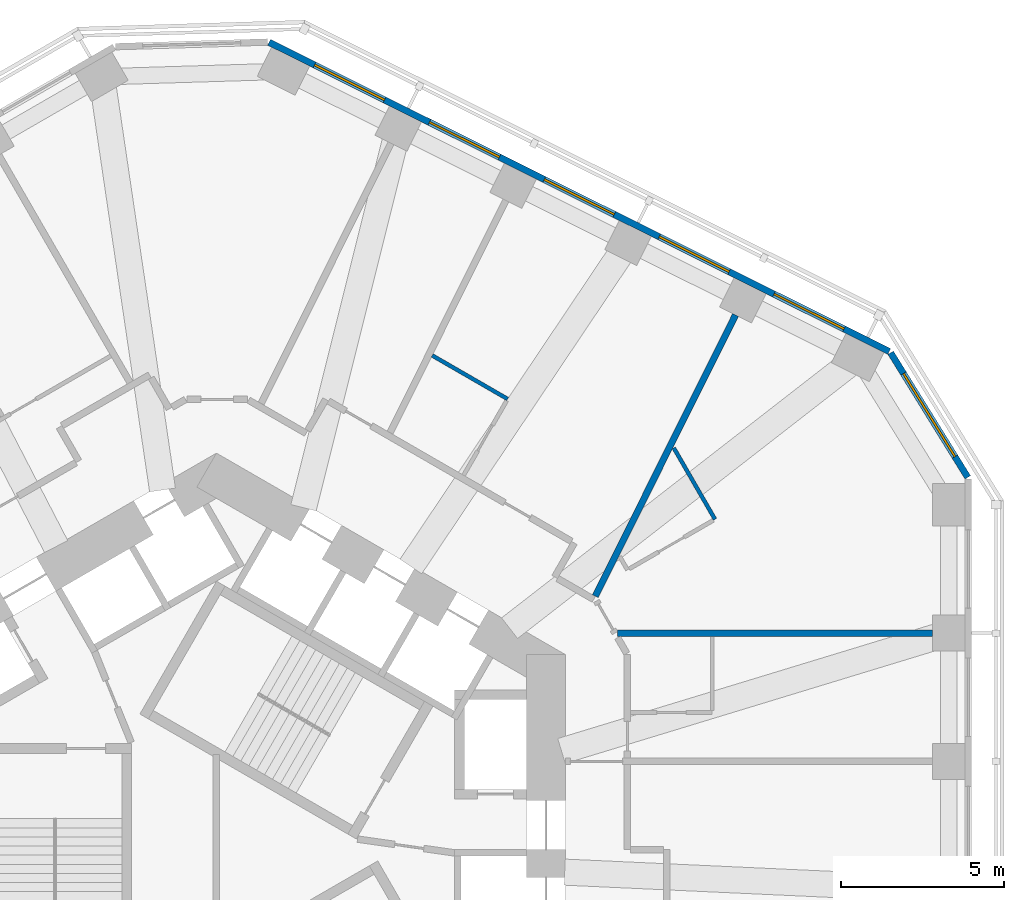
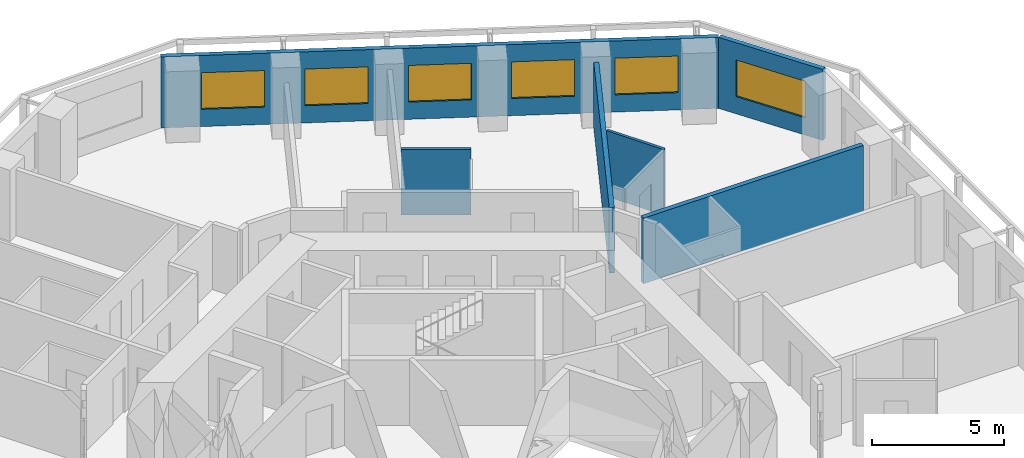
# One storey, part 9 of 12: 6 walls, 6 windows, 6 openings.
"""IFC4 building model written with IfcOpenShell, lengths in metres."""

from ifc_helpers import new_model, si_unit, direction, frame, frame_2d, origin, place, context, subcontext, project, spatial, rectangle, extrude, material, layer, layer_set, type_object, element, fill, save


model = new_model("IFC4")

# Units and contexts
model_context = context("Model", 3, precision=1e-05, world=origin(), true_north=direction((0.0, 1.0)))
body_context = subcontext(model_context, "Body", "Model", "MODEL_VIEW")
ifc_project = project(units=[si_unit("LENGTHUNIT", "METRE"), si_unit("AREAUNIT", "SQUARE_METRE"), si_unit("VOLUMEUNIT", "CUBIC_METRE"), si_unit("PLANEANGLEUNIT", "RADIAN"), si_unit("MASSUNIT", "GRAM", prefix="KILO")], contexts=[model_context])

# Site, building, storey
site_placement = place(None, origin())
site = spatial("IfcSite", under=ifc_project, at=site_placement, CompositionType="ELEMENT")
building_placement = place(site_placement, origin())
building = spatial("IfcBuilding", under=site, at=building_placement, Name="Vanh Sen Convention Tower", CompositionType="ELEMENT")
storey_placement = place(building_placement, frame((0.0, 0.0, 113.300048828125)))
storey = spatial("IfcBuildingStorey", under=building, at=storey_placement, Name="L27", CompositionType="ELEMENT", Elevation=113.300048828125)

# Walls
ifc_material_1 = material(Name="Moisture-resistant gypsum board on steel studs", Category="steel")
ifc_layer_1 = layer(ifc_material_1, 0.1201171875)
ifc_layer_set_1 = layer_set([ifc_layer_1], Name="Moisture-resistant gypsum board on steel studs")
wall_type_1 = type_object("IfcWallType", Name="Bathroom partition 120", PredefinedType="PARTITIONING", material=ifc_layer_set_1)
wall_1_placement = place(storey_placement, frame((6.614013671875, 15.3505859375, 0.0), z_axis=(0.0, 0.0, 1.0), x_axis=(0.866024262117, -0.500001977421, 0.0)))
element("IfcWall", 1, at=wall_1_placement, inside=storey, type_object=wall_type_1, Name="Bathroom partition 120", PredefinedType="PARTITIONING", context=body_context, shape_type="SweptSolid", body=[
    extrude(rectangle(XDim=2.67138671875, YDim=0.1201171875, at=frame_2d((1.335693359375, 0.0))), origin(), (0.0, 0.0, 1.0), 3.050048828125),
])
wall_2_placement = place(storey_placement, frame((14.021728515625, 12.51513671875, 0.0), z_axis=(0.0, 0.0, 1.0), x_axis=(0.499962146402, -0.866047257466, 0.0)))
element("IfcWall", 2, at=wall_2_placement, inside=storey, type_object=wall_type_1, Name="Bathroom partition 120", PredefinedType="PARTITIONING", context=body_context, shape_type="SweptSolid", body=[
    extrude(rectangle(XDim=2.527587890625, YDim=0.1201171875, at=frame_2d((1.263671875, 0.0))), origin(), (0.0, 0.0, 1.0), 3.050048828125),
])

# Wall, opening, window
ifc_material_2 = material(Name="Insulated lightweight infill wall")
ifc_layer_2 = layer(ifc_material_2, 0.199951171875)
ifc_layer_set_2 = layer_set([ifc_layer_2], Name="Insulated lightweight infill wall")
wall_type_2 = type_object("IfcWallType", Name="External wall 200", PredefinedType="STANDARD", material=ifc_layer_set_2)
wall_3_placement = place(storey_placement, frame((23.034912109375, 11.612060546875, 0.0), z_axis=(0.0, 0.0, 1.0), x_axis=(-0.526160091227, 0.850385535155, 0.0)))
wall_3 = element("IfcWall", 3, at=wall_3_placement, inside=storey, type_object=wall_type_2, Name="External wall CH1 L27", PredefinedType="STANDARD", context=body_context, shape_type="SweptSolid", body=[
    extrude(rectangle(XDim=4.493896484375, YDim=0.199951171875, at=frame_2d((2.2470703125, 0.0))), origin(), (0.0, 0.0, 1.0), 3.300048828125),
])
opening_1_placement = place(wall_3_placement, frame((0.746826171875, 0.0, 0.800048828125)))
opening_1 = element("IfcOpeningElement", 4, at=opening_1_placement, cuts=wall_3, Name="Opening WH2-CH11", PredefinedType="OPENING", context=body_context, shape_type="SweptSolid", body=[
    extrude(rectangle(XDim=3.0, YDim=1.699951171875, at=frame_2d((1.5, 0.85009765625))), frame((0.0, 0.10986328125, 0.0), z_axis=(0.0, -1.0, 0.0), x_axis=(1.0, 0.0, 0.0)), (0.0, 0.0, 1.0), 0.219970703125),
])
ifc_material_3 = material(Name="Aluminium frame with clear low-emissivity glass", Category="aluminium")
window_type_1 = type_object("IfcWindowType", Name="Hotel window 3000 x 1700", PartitioningType="SINGLE_PANEL", PredefinedType="WINDOW", material=ifc_material_3)
window_1_placement = place(opening_1_placement, origin())
window_1 = element("IfcWindow", 5, at=window_1_placement, inside=storey, type_object=window_type_1, Name="Window WH2-CH11", OverallHeight=1.699951171875, OverallWidth=3.0, PartitioningType="SINGLE_PANEL", PredefinedType="WINDOW", context=body_context, shape_type="SweptSolid", body=[
    extrude(rectangle(XDim=3.0, YDim=1.699951171875, at=frame_2d((1.5, 0.85009765625))), frame((0.0, 0.030029296875, 0.0), z_axis=(0.0, -1.0, 0.0), x_axis=(1.0, 0.0, 0.0)), (0.0, 0.0, 1.0), 0.06005859375),
])
fill(opening_1, window_1)

# Wall, openings, windows
wall_4_placement = place(storey_placement, frame((20.6298828125, 15.470458984375, 0.0), z_axis=(0.0, 0.0, 1.0), x_axis=(-0.894934518609, 0.446197498203, 0.0)))
wall_4 = element("IfcWall", 6, at=wall_4_placement, inside=storey, type_object=wall_type_2, Name="External wall NE L27", PredefinedType="STANDARD", context=body_context, shape_type="SweptSolid", body=[
    extrude(rectangle(XDim=21.24609375, YDim=0.199951171875, at=frame_2d((10.623046875, 0.0))), origin(), (0.0, 0.0, 1.0), 3.300048828125),
])
opening_2_placement = place(wall_4_placement, frame((1.552978515625, 0.0, 0.800048828125)))
opening_2 = element("IfcOpeningElement", 7, at=opening_2_placement, cuts=wall_4, Name="Opening WH1-NE1", PredefinedType="OPENING", context=body_context, shape_type="SweptSolid", body=[
    extrude(rectangle(XDim=2.39990234375, YDim=1.699951171875, at=frame_2d((1.199951171875, 0.85009765625))), frame((0.0, 0.10986328125, 0.0), z_axis=(0.0, -1.0, 0.0), x_axis=(1.0, 0.0, 0.0)), (0.0, 0.0, 1.0), 0.219970703125),
])
opening_3_placement = place(wall_4_placement, frame((5.48779296875, 0.0, 0.800048828125)))
opening_3 = element("IfcOpeningElement", 8, at=opening_3_placement, cuts=wall_4, Name="Opening WH1-NE2", PredefinedType="OPENING", context=body_context, shape_type="SweptSolid", body=[
    extrude(rectangle(XDim=2.39990234375, YDim=1.699951171875, at=frame_2d((1.199951171875, 0.85009765625))), frame((0.0, 0.10986328125, 0.0), z_axis=(0.0, -1.0, 0.0), x_axis=(1.0, 0.0, 0.0)), (0.0, 0.0, 1.0), 0.219970703125),
])
opening_4_placement = place(wall_4_placement, frame((9.42236328125, 0.0, 0.800048828125)))
opening_4 = element("IfcOpeningElement", 9, at=opening_4_placement, cuts=wall_4, Name="Opening WH1-NE3", PredefinedType="OPENING", context=body_context, shape_type="SweptSolid", body=[
    extrude(rectangle(XDim=2.39990234375, YDim=1.699951171875, at=frame_2d((1.199951171875, 0.85009765625))), frame((0.0, 0.10986328125, 0.0), z_axis=(0.0, -1.0, 0.0), x_axis=(1.0, 0.0, 0.0)), (0.0, 0.0, 1.0), 0.219970703125),
])
opening_5_placement = place(wall_4_placement, frame((13.35693359375, 0.0, 0.800048828125)))
opening_5 = element("IfcOpeningElement", 10, at=opening_5_placement, cuts=wall_4, Name="Opening WH1-NE4", PredefinedType="OPENING", context=body_context, shape_type="SweptSolid", body=[
    extrude(rectangle(XDim=2.39990234375, YDim=1.699951171875, at=frame_2d((1.199951171875, 0.85009765625))), frame((0.0, 0.10986328125, 0.0), z_axis=(0.0, -1.0, 0.0), x_axis=(1.0, 0.0, 0.0)), (0.0, 0.0, 1.0), 0.219970703125),
])
opening_6_placement = place(wall_4_placement, frame((17.29150390625, 0.0, 0.800048828125)))
opening_6 = element("IfcOpeningElement", 11, at=opening_6_placement, cuts=wall_4, Name="Opening WH1-NE5", PredefinedType="OPENING", context=body_context, shape_type="SweptSolid", body=[
    extrude(rectangle(XDim=2.39990234375, YDim=1.699951171875, at=frame_2d((1.199951171875, 0.85009765625))), frame((0.0, 0.10986328125, 0.0), z_axis=(0.0, -1.0, 0.0), x_axis=(1.0, 0.0, 0.0)), (0.0, 0.0, 1.0), 0.219970703125),
])
window_type_2 = type_object("IfcWindowType", Name="Hotel window 2400 x 1700", PartitioningType="SINGLE_PANEL", PredefinedType="WINDOW", material=ifc_material_3)
window_2_placement = place(opening_2_placement, origin())
window_2 = element("IfcWindow", 12, at=window_2_placement, inside=storey, type_object=window_type_2, Name="Window WH1-NE1", OverallHeight=1.699951171875, OverallWidth=2.39990234375, PartitioningType="SINGLE_PANEL", PredefinedType="WINDOW", context=body_context, shape_type="SweptSolid", body=[
    extrude(rectangle(XDim=2.39990234375, YDim=1.699951171875, at=frame_2d((1.199951171875, 0.85009765625))), frame((0.0, 0.030029296875, 0.0), z_axis=(0.0, -1.0, 0.0), x_axis=(1.0, 0.0, 0.0)), (0.0, 0.0, 1.0), 0.06005859375),
])
fill(opening_2, window_2)
window_3_placement = place(opening_3_placement, origin())
window_3 = element("IfcWindow", 13, at=window_3_placement, inside=storey, type_object=window_type_2, Name="Window WH1-NE2", OverallHeight=1.699951171875, OverallWidth=2.39990234375, PartitioningType="SINGLE_PANEL", PredefinedType="WINDOW", context=body_context, shape_type="SweptSolid", body=[
    extrude(rectangle(XDim=2.39990234375, YDim=1.699951171875, at=frame_2d((1.199951171875, 0.85009765625))), frame((0.0, 0.030029296875, 0.0), z_axis=(0.0, -1.0, 0.0), x_axis=(1.0, 0.0, 0.0)), (0.0, 0.0, 1.0), 0.06005859375),
])
fill(opening_3, window_3)
window_4_placement = place(opening_4_placement, origin())
window_4 = element("IfcWindow", 14, at=window_4_placement, inside=storey, type_object=window_type_2, Name="Window WH1-NE3", OverallHeight=1.699951171875, OverallWidth=2.39990234375, PartitioningType="SINGLE_PANEL", PredefinedType="WINDOW", context=body_context, shape_type="SweptSolid", body=[
    extrude(rectangle(XDim=2.39990234375, YDim=1.699951171875, at=frame_2d((1.199951171875, 0.85009765625))), frame((0.0, 0.030029296875, 0.0), z_axis=(0.0, -1.0, 0.0), x_axis=(1.0, 0.0, 0.0)), (0.0, 0.0, 1.0), 0.06005859375),
])
fill(opening_4, window_4)
window_5_placement = place(opening_5_placement, origin())
window_5 = element("IfcWindow", 15, at=window_5_placement, inside=storey, type_object=window_type_2, Name="Window WH1-NE4", OverallHeight=1.699951171875, OverallWidth=2.39990234375, PartitioningType="SINGLE_PANEL", PredefinedType="WINDOW", context=body_context, shape_type="SweptSolid", body=[
    extrude(rectangle(XDim=2.39990234375, YDim=1.699951171875, at=frame_2d((1.199951171875, 0.85009765625))), frame((0.0, 0.030029296875, 0.0), z_axis=(0.0, -1.0, 0.0), x_axis=(1.0, 0.0, 0.0)), (0.0, 0.0, 1.0), 0.06005859375),
])
fill(opening_5, window_5)
window_6_placement = place(opening_6_placement, origin())
window_6 = element("IfcWindow", 16, at=window_6_placement, inside=storey, type_object=window_type_2, Name="Window WH1-NE5", OverallHeight=1.699951171875, OverallWidth=2.39990234375, PartitioningType="SINGLE_PANEL", PredefinedType="WINDOW", context=body_context, shape_type="SweptSolid", body=[
    extrude(rectangle(XDim=2.39990234375, YDim=1.699951171875, at=frame_2d((1.199951171875, 0.85009765625))), frame((0.0, 0.030029296875, 0.0), z_axis=(0.0, -1.0, 0.0), x_axis=(1.0, 0.0, 0.0)), (0.0, 0.0, 1.0), 0.06005859375),
])
fill(opening_6, window_6)

# Walls
ifc_material_4 = material(Name="Gypsum board on steel studs with mineral wool", Category="steel")
ifc_layer_3 = layer(ifc_material_4, 0.199951171875)
ifc_layer_set_3 = layer_set([ifc_layer_3], Name="Gypsum board on steel studs with mineral wool")
wall_type_3 = type_object("IfcWallType", Name="Hotel party wall 200", PredefinedType="PARTITIONING", material=ifc_layer_set_3)
wall_5_placement = place(storey_placement, frame((15.91455078125, 16.59228515625, 0.0), z_axis=(0.0, 0.0, 1.0), x_axis=(-0.446199736347, -0.894933402709, 0.0)))
element("IfcWall", 17, at=wall_5_placement, inside=storey, type_object=wall_type_3, Name="Hotel party wall 200", PredefinedType="PARTITIONING", context=body_context, shape_type="SweptSolid", body=[
    extrude(rectangle(XDim=9.634765625, YDim=0.199951171875, at=frame_2d((4.8173828125, 0.0))), origin(), (0.0, 0.0, 1.0), 3.050048828125),
])
wall_6_placement = place(storey_placement, frame((21.949951171875, 6.839111328125, 0.0), z_axis=(0.0, 0.0, 1.0), x_axis=(-1.0, 0.0, 0.0)))
element("IfcWall", 18, at=wall_6_placement, inside=storey, type_object=wall_type_3, Name="Hotel party wall 200", PredefinedType="PARTITIONING", context=body_context, shape_type="SweptSolid", body=[
    extrude(rectangle(XDim=9.64990234375, YDim=0.199951171875, at=frame_2d((4.824951171875, 0.0))), origin(), (0.0, 0.0, 1.0), 3.050048828125),
])

save(model, "model.ifc")
